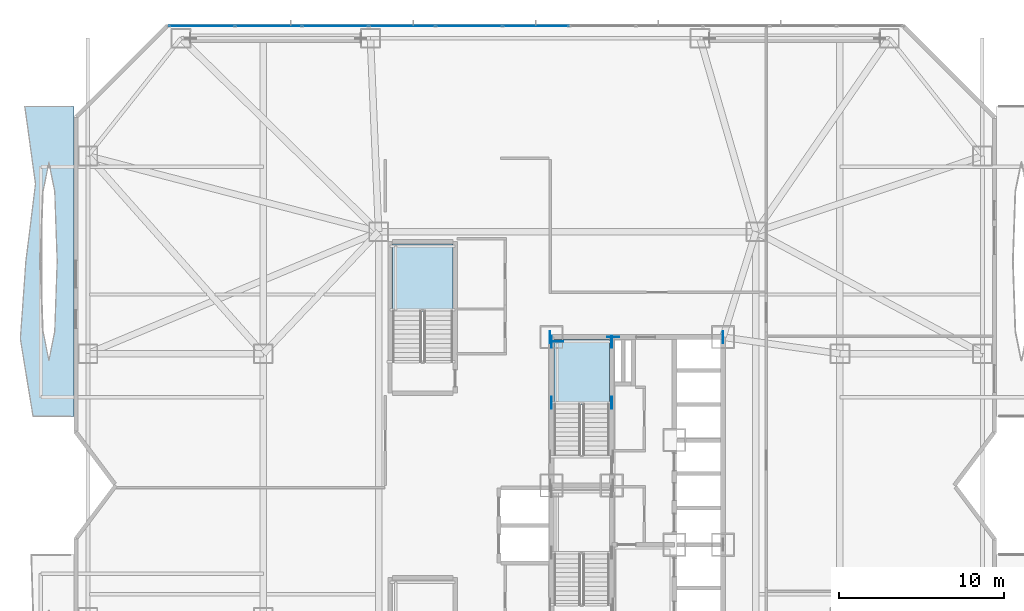
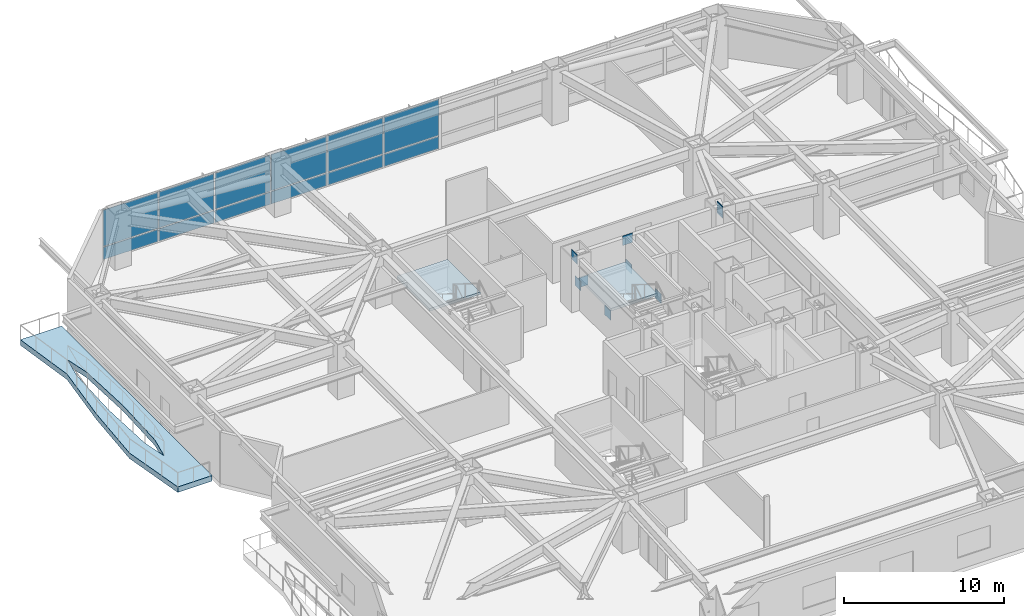
# One storey, part 12 of 25: 21 plates, 3 slabs, 3 elements without a shape of their own.
"""IFC4 building model written with IfcOpenShell, lengths in metres."""

from ifc_helpers import new_model, si_unit, direction, frame, origin, origin_2d, place, context, subcontext, project, spatial, polyline, rectangle, outline, extrude, material, layer, layer_set, type_object, element, aggregate, save


model = new_model("IFC4")

# Units and contexts
model_context = context("Model", 3, precision=1e-05, world=origin(), true_north=direction((0.0, 1.0)))
body_context = subcontext(model_context, "Body", "Model", "MODEL_VIEW")
ifc_project = project(units=[si_unit("LENGTHUNIT", "METRE"), si_unit("AREAUNIT", "SQUARE_METRE"), si_unit("VOLUMEUNIT", "CUBIC_METRE"), si_unit("PLANEANGLEUNIT", "RADIAN"), si_unit("MASSUNIT", "GRAM", prefix="KILO")], contexts=[model_context])

# Site, building, storey
site_placement = place(None, origin())
site = spatial("IfcSite", under=ifc_project, at=site_placement, CompositionType="ELEMENT")
building_placement = place(site_placement, origin())
building = spatial("IfcBuilding", under=site, at=building_placement, Name="Khamvora Tower", CompositionType="ELEMENT")
storey_placement = place(building_placement, frame((0.0, 0.0, 16.199951171875)))
storey = spatial("IfcBuildingStorey", under=building, at=storey_placement, Name="L03", CompositionType="ELEMENT", Elevation=16.199951171875)

# Curtain wall, plates
ifc_material_1 = material(Name="Anodised Aluminium 6063-T6", Category="aluminium")
curtain_wall_type = type_object("IfcCurtainWallType", Name="CW-SYS-01", PredefinedType="NOTDEFINED", material=ifc_material_1)
curtain_wall_placement = place(storey_placement, origin())
curtain_wall = element("IfcCurtainWall", 1, at=curtain_wall_placement, inside=storey, type_object=curtain_wall_type, Name="L03 stick curtain wall 07.1", PredefinedType="NOTDEFINED")
ifc_material_2 = material(Name="Low-E Laminated Double Glazing", Category="glass")
ifc_layer_1 = layer(ifc_material_2, 0.035888671875)
ifc_layer_set_1 = layer_set([ifc_layer_1], Name="Low-E Laminated Double Glazing")
plate_type_1 = type_object("IfcPlateType", Name="CW-SYS-01-PNL", PredefinedType="CURTAIN_PANEL", material=ifc_layer_set_1)
plate_1_placement = place(storey_placement, frame((7.774169921875, 55.8798828125, 0.074951171875), z_axis=(0.0, 0.0, 1.0), x_axis=(1.0, 0.0, 0.0)))
plate_1 = element("IfcPlate", 2, at=plate_1_placement, type_object=plate_type_1, Name="CW-01 panel 1.1", PredefinedType="CURTAIN_PANEL", context=body_context, shape_type="SweptSolid", body=[
    extrude(rectangle(XDim=3.944091796875, YDim=0.035888671875, at=origin_2d()), origin(), (0.0, 0.0, 1.0), 0.9375),
])
plate_2_placement = place(storey_placement, frame((7.774169921875, 55.8798828125, 1.08740234375), z_axis=(0.0, 0.0, 1.0), x_axis=(1.0, 0.0, 0.0)))
plate_2 = element("IfcPlate", 3, at=plate_2_placement, type_object=plate_type_1, Name="CW-01 panel 1.2", PredefinedType="CURTAIN_PANEL", context=body_context, shape_type="SweptSolid", body=[
    extrude(rectangle(XDim=3.944091796875, YDim=0.035888671875, at=origin_2d()), origin(), (0.0, 0.0, 1.0), 2.757568359375),
])
plate_3_placement = place(storey_placement, frame((11.81201171875, 55.8798828125, 0.074951171875), z_axis=(0.0, 0.0, 1.0), x_axis=(1.0, 0.0, 0.0)))
plate_3 = element("IfcPlate", 4, at=plate_3_placement, type_object=plate_type_1, Name="CW-01 panel 2.1", PredefinedType="CURTAIN_PANEL", context=body_context, shape_type="SweptSolid", body=[
    extrude(rectangle(XDim=3.981689453125, YDim=0.035888671875, at=origin_2d()), origin(), (0.0, 0.0, 1.0), 0.9375),
])
plate_4_placement = place(storey_placement, frame((11.81201171875, 55.8798828125, 1.08740234375), z_axis=(0.0, 0.0, 1.0), x_axis=(1.0, 0.0, 0.0)))
plate_4 = element("IfcPlate", 5, at=plate_4_placement, type_object=plate_type_1, Name="CW-01 panel 2.2", PredefinedType="CURTAIN_PANEL", context=body_context, shape_type="SweptSolid", body=[
    extrude(rectangle(XDim=3.981689453125, YDim=0.035888671875, at=origin_2d()), origin(), (0.0, 0.0, 1.0), 2.757568359375),
])
plate_5_placement = place(storey_placement, frame((15.86865234375, 55.8798828125, 0.074951171875), z_axis=(0.0, 0.0, 1.0), x_axis=(1.0, 0.0, 0.0)))
plate_5 = element("IfcPlate", 6, at=plate_5_placement, type_object=plate_type_1, Name="CW-01 panel 3.1", PredefinedType="CURTAIN_PANEL", context=body_context, shape_type="SweptSolid", body=[
    extrude(rectangle(XDim=3.981689453125, YDim=0.035888671875, at=origin_2d()), origin(), (0.0, 0.0, 1.0), 0.9375),
])
plate_6_placement = place(storey_placement, frame((15.86865234375, 55.8798828125, 1.08740234375), z_axis=(0.0, 0.0, 1.0), x_axis=(1.0, 0.0, 0.0)))
plate_6 = element("IfcPlate", 7, at=plate_6_placement, type_object=plate_type_1, Name="CW-01 panel 3.2", PredefinedType="CURTAIN_PANEL", context=body_context, shape_type="SweptSolid", body=[
    extrude(rectangle(XDim=3.981689453125, YDim=0.035888671875, at=origin_2d()), origin(), (0.0, 0.0, 1.0), 2.757568359375),
])
plate_7_placement = place(storey_placement, frame((19.92529296875, 55.8798828125, 0.074951171875), z_axis=(0.0, 0.0, 1.0), x_axis=(1.0, 0.0, 0.0)))
plate_7 = element("IfcPlate", 8, at=plate_7_placement, type_object=plate_type_1, Name="CW-01 panel 4.1", PredefinedType="CURTAIN_PANEL", context=body_context, shape_type="SweptSolid", body=[
    extrude(rectangle(XDim=3.981689453125, YDim=0.035888671875, at=origin_2d()), origin(), (0.0, 0.0, 1.0), 0.9375),
])
plate_8_placement = place(storey_placement, frame((19.92529296875, 55.8798828125, 1.08740234375), z_axis=(0.0, 0.0, 1.0), x_axis=(1.0, 0.0, 0.0)))
plate_8 = element("IfcPlate", 9, at=plate_8_placement, type_object=plate_type_1, Name="CW-01 panel 4.2", PredefinedType="CURTAIN_PANEL", context=body_context, shape_type="SweptSolid", body=[
    extrude(rectangle(XDim=3.981689453125, YDim=0.035888671875, at=origin_2d()), origin(), (0.0, 0.0, 1.0), 2.757568359375),
])
plate_9_placement = place(storey_placement, frame((23.98193359375, 55.8798828125, 0.074951171875), z_axis=(0.0, 0.0, 1.0), x_axis=(1.0, 0.0, 0.0)))
plate_9 = element("IfcPlate", 10, at=plate_9_placement, type_object=plate_type_1, Name="CW-01 panel 5.1", PredefinedType="CURTAIN_PANEL", context=body_context, shape_type="SweptSolid", body=[
    extrude(rectangle(XDim=3.981689453125, YDim=0.035888671875, at=origin_2d()), origin(), (0.0, 0.0, 1.0), 0.9375),
])
plate_10_placement = place(storey_placement, frame((23.98193359375, 55.8798828125, 1.08740234375), z_axis=(0.0, 0.0, 1.0), x_axis=(1.0, 0.0, 0.0)))
plate_10 = element("IfcPlate", 11, at=plate_10_placement, type_object=plate_type_1, Name="CW-01 panel 5.2", PredefinedType="CURTAIN_PANEL", context=body_context, shape_type="SweptSolid", body=[
    extrude(rectangle(XDim=3.981689453125, YDim=0.035888671875, at=origin_2d()), origin(), (0.0, 0.0, 1.0), 2.757568359375),
])
plate_11_placement = place(storey_placement, frame((28.03857421875, 55.8798828125, 0.074951171875), z_axis=(0.0, 0.0, 1.0), x_axis=(1.0, 0.0, 0.0)))
plate_11 = element("IfcPlate", 12, at=plate_11_placement, type_object=plate_type_1, Name="CW-01 panel 6.1", PredefinedType="CURTAIN_PANEL", context=body_context, shape_type="SweptSolid", body=[
    extrude(rectangle(XDim=3.981689453125, YDim=0.035888671875, at=origin_2d()), origin(), (0.0, 0.0, 1.0), 0.9375),
])
plate_12_placement = place(storey_placement, frame((28.03857421875, 55.8798828125, 1.08740234375), z_axis=(0.0, 0.0, 1.0), x_axis=(1.0, 0.0, 0.0)))
plate_12 = element("IfcPlate", 13, at=plate_12_placement, type_object=plate_type_1, Name="CW-01 panel 6.2", PredefinedType="CURTAIN_PANEL", context=body_context, shape_type="SweptSolid", body=[
    extrude(rectangle(XDim=3.981689453125, YDim=0.035888671875, at=origin_2d()), origin(), (0.0, 0.0, 1.0), 2.757568359375),
])
aggregate(curtain_wall, [plate_1, plate_2, plate_3, plate_4, plate_5, plate_6, plate_7, plate_8, plate_9, plate_10, plate_11, plate_12])

# Plates
ifc_material_3 = material(Name="Steel S460", Category="steel")
ifc_layer_2 = layer(ifc_material_3, 0.034912109375)
ifc_layer_set_2 = layer_set([ifc_layer_2], Name="Steel S460")
plate_type_2 = type_object("IfcPlateType", Name="PL-EMB-35", PredefinedType="SHEET", material=ifc_layer_set_2)
for number, where, z_axis, x_axis, name in (
    (14, (29.0, 33.014892578125, 1.4091796875), (0.0, 0.0, 1.0), (1.0, 0.0, 0.0), "L03 core shear wall cast-in embed plate 0131"),
    (15, (32.64990234375, 33.014892578125, 1.4091796875), (0.0, 0.0, 1.0), (1.0, 0.0, 0.0), "L03 core shear wall cast-in embed plate 0132"),
    (16, (29.0, 36.72998046875, 1.4091796875), (0.0, 0.0, 1.0), (1.0, 0.0, 0.0), "L03 core shear wall cast-in embed plate 0133"),
    (17, (32.64990234375, 36.72998046875, 1.4091796875), (0.0, 0.0, 1.0), (1.0, 0.0, 0.0), "L03 core shear wall cast-in embed plate 0134"),
):
    element("IfcPlate", number, at=place(storey_placement, frame(where, z_axis=z_axis, x_axis=x_axis)), inside=storey, type_object=plate_type_2, Name=name, PredefinedType="SHEET", context=body_context, shape_type="SweptSolid", body=[
        extrude(rectangle(XDim=0.034912109375, YDim=0.719970703125, at=origin_2d()), origin(), (0.0, 0.0, 1.0), 0.719970703125),
    ])
plate_13_placement = place(storey_placement, frame((29.35009765625, 36.72998046875, 1.4091796875), z_axis=(0.0, 0.0, 1.0), x_axis=(1.0, 0.0, 0.0)))
element("IfcPlate", 18, at=plate_13_placement, inside=storey, type_object=plate_type_2, Name="L03 core shear wall cast-in embed plate 0135", PredefinedType="SHEET", context=body_context, shape_type="SweptSolid", body=[
    extrude(rectangle(XDim=0.719970703125, YDim=0.034912109375, at=origin_2d()), origin(), (0.0, 0.0, 1.0), 0.719970703125),
])
for number, where, z_axis, x_axis, name in (
    (19, (39.39990234375, 37.0, 3.13330078125), (0.0, 0.0, 1.0), (1.0, 0.0, 0.0), "L03 core shear wall cast-in embed plate 0137"),
    (20, (28.89990234375, 37.0, 3.2939453125), (0.0, 0.0, 1.0), (1.0, 0.0, 0.0), "L03 core shear wall cast-in embed plate 0140"),
):
    element("IfcPlate", number, at=place(storey_placement, frame(where, z_axis=z_axis, x_axis=x_axis)), inside=storey, type_object=plate_type_2, Name=name, PredefinedType="SHEET", context=body_context, shape_type="SweptSolid", body=[
        extrude(rectangle(XDim=0.034912109375, YDim=0.719970703125, at=origin_2d()), origin(), (0.0, 0.0, 1.0), 0.719970703125),
    ])
plate_14_placement = place(storey_placement, frame((32.72998046875, 37.0, 3.2939453125), z_axis=(0.0, 0.0, 1.0), x_axis=(1.0, 0.0, 0.0)))
element("IfcPlate", 21, at=plate_14_placement, inside=storey, type_object=plate_type_2, Name="L03 core shear wall cast-in embed plate 0143", PredefinedType="SHEET", context=body_context, shape_type="SweptSolid", body=[
    extrude(rectangle(XDim=0.719970703125, YDim=0.034912109375, at=origin_2d()), origin(), (0.0, 0.0, 1.0), 0.719970703125),
])
plate_15_placement = place(storey_placement, frame((39.39990234375, 37.0, 3.2939453125), z_axis=(0.0, 0.0, 1.0), x_axis=(1.0, 0.0, 0.0)))
element("IfcPlate", 22, at=plate_15_placement, inside=storey, type_object=plate_type_2, Name="L03 core shear wall cast-in embed plate 0146", PredefinedType="SHEET", context=body_context, shape_type="SweptSolid", body=[
    extrude(rectangle(XDim=0.034912109375, YDim=0.719970703125, at=origin_2d()), origin(), (0.0, 0.0, 1.0), 0.719970703125),
])

# Slab
ifc_material_4 = material(Name="Concrete C40/50", Category="concrete")
ifc_layer_3 = layer(ifc_material_4, 0.419921875)
ifc_layer_set_3 = layer_set([ifc_layer_3], Name="Concrete C40/50")
slab_type_1 = type_object("IfcSlabType", Name="SLB-GRD-420", PredefinedType="FLOOR", material=ifc_layer_set_3)
slab_1_placement = place(storey_placement, frame((0.0, 0.0, -0.419921875)))
element("IfcSlab", 23, at=slab_1_placement, inside=storey, type_object=slab_type_1, Name="L03 external lens gallery slab WL2", PredefinedType="FLOOR", context=body_context, shape_type="SweptSolid", body=[
    extrude(outline(polyline([(0.0, 32.199951171875), (0.0, 51.0), (-2.97705078125, 51.0), (-2.325927734375, 46.300048828125), (-2.912109375, 41.60009765625), (-3.2451171875, 36.89990234375), (-2.47802734375, 32.199951171875), (0.0, 32.199951171875)]), holes=[polyline([(-1.010986328125, 41.60009765625), (-1.158935546875, 45.85400390625), (-1.514892578125, 47.615966796875), (-1.87109375, 45.85400390625), (-2.01904296875, 41.60009765625), (-1.87109375, 37.345947265625), (-1.514892578125, 35.583984375), (-1.158935546875, 37.345947265625), (-1.010986328125, 41.60009765625)])]), origin(), (0.0, 0.0, 1.0), 0.419921875),
])

# Stair, slab
stair_type_1 = type_object("IfcStairType", Name="STR-ST-02", PredefinedType="HALF_TURN_STAIR", material=ifc_material_4)
stair_1_placement = place(storey_placement, origin())
stair_1 = element("IfcStair", 24, at=stair_1_placement, inside=storey, type_object=stair_type_1, Name="L03 North Tower Exit Stair ST-02", PredefinedType="HALF_TURN_STAIR")
ifc_layer_4 = layer(ifc_material_4, 0.199951171875)
ifc_layer_set_4 = layer_set([ifc_layer_4], Name="Concrete C40/50")
slab_type_2 = type_object("IfcSlabType", Name="SLB-LND-200", PredefinedType="LANDING", material=ifc_layer_set_4)
slab_2_placement = place(storey_placement, frame((0.0, 0.0, 1.900146484375)))
slab_2 = element("IfcSlab", 25, at=slab_2_placement, type_object=slab_type_2, Name="ST-02 landing 1", PredefinedType="LANDING", context=body_context, shape_type="SweptSolid", body=[
    extrude(outline(polyline([(32.5, 32.89501953125), (32.5, 36.85009765625), (29.14990234375, 36.85009765625), (29.14990234375, 32.89501953125), (32.5, 32.89501953125)])), origin(), (0.0, 0.0, 1.0), 0.199951171875),
])
aggregate(stair_1, [slab_2])

stair_type_2 = type_object("IfcStairType", Name="STR-ST-04", PredefinedType="HALF_TURN_STAIR", material=ifc_material_4)
stair_2_placement = place(storey_placement, origin())
stair_2 = element("IfcStair", 26, at=stair_2_placement, inside=storey, type_object=stair_type_2, Name="L03 North School Podium Stair ST-04", PredefinedType="HALF_TURN_STAIR")
slab_3_placement = place(storey_placement, frame((0.0, 0.0, 1.900146484375)))
slab_3 = element("IfcSlab", 27, at=slab_3_placement, type_object=slab_type_2, Name="ST-04 landing 1", PredefinedType="LANDING", context=body_context, shape_type="SweptSolid", body=[
    extrude(outline(polyline([(23.0, 38.544921875), (23.0, 42.64990234375), (19.35009765625, 42.64990234375), (19.35009765625, 38.544921875), (23.0, 38.544921875)])), origin(), (0.0, 0.0, 1.0), 0.199951171875),
])
aggregate(stair_2, [slab_3])

save(model, "model.ifc")
